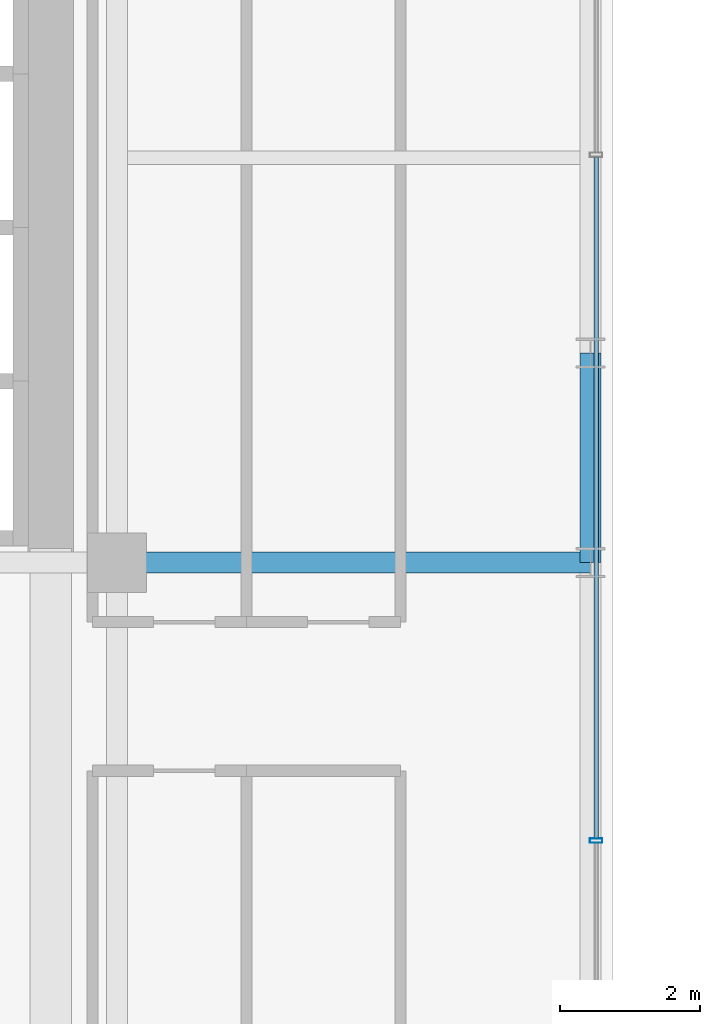
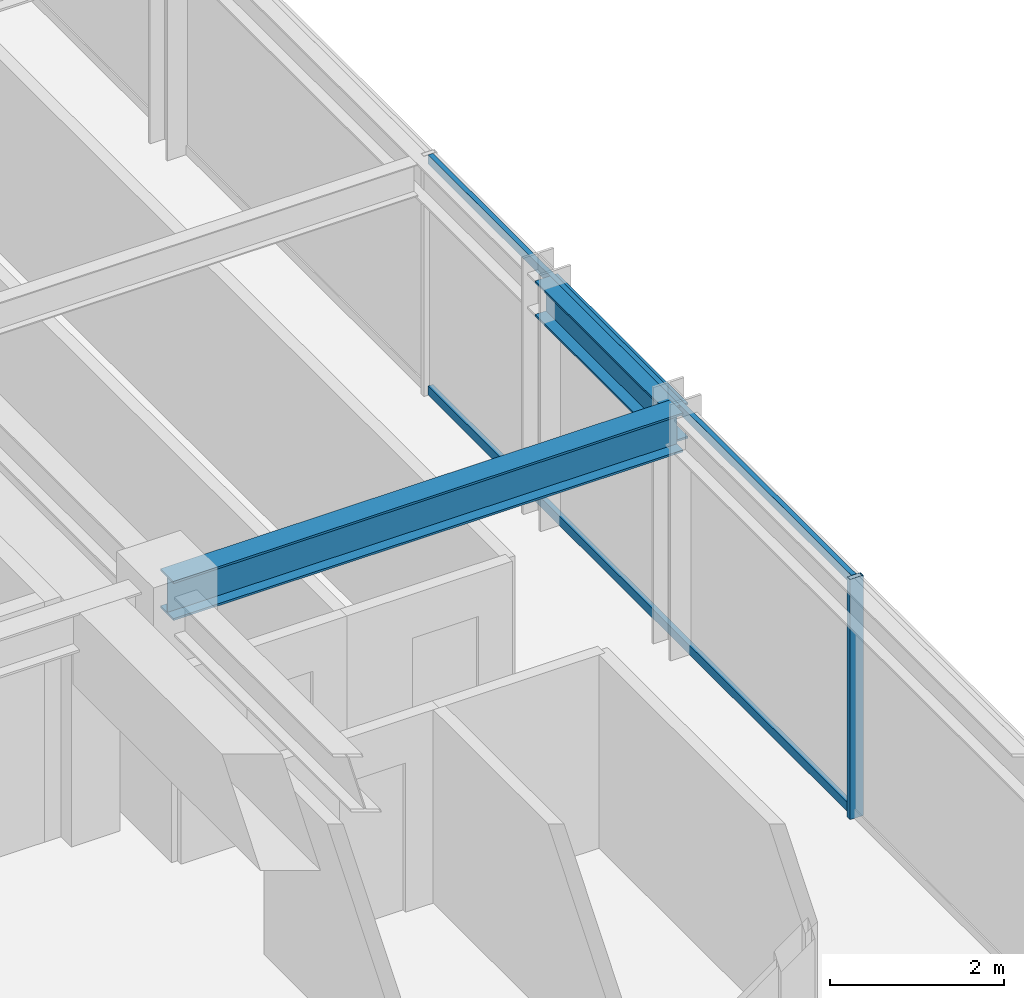
# One storey, part 15 of 41: 3 members, 2 beams, 1 element without a shape of its own.
"""IFC4 building model written with IfcOpenShell, lengths in metres."""

from ifc_helpers import new_model, si_unit, direction, frame, origin, origin_2d, place, context, subcontext, project, spatial, hollow_rectangle, i_section, extrude, source, transform, mapped, material, material_profile, profile_set, type_object, element, aggregate, save


model = new_model("IFC4")

# Units and contexts
model_context = context("Model", 3, precision=1e-05, world=origin(), true_north=direction((0.0, 1.0)))
body_context = subcontext(model_context, "Body", "Model", "MODEL_VIEW")
ifc_project = project(units=[si_unit("LENGTHUNIT", "METRE"), si_unit("AREAUNIT", "SQUARE_METRE"), si_unit("VOLUMEUNIT", "CUBIC_METRE"), si_unit("PLANEANGLEUNIT", "RADIAN"), si_unit("MASSUNIT", "GRAM", prefix="KILO")], contexts=[model_context])

# Site, building, storey
site_placement = place(None, origin())
site = spatial("IfcSite", under=ifc_project, at=site_placement, CompositionType="ELEMENT")
building_placement = place(site_placement, origin())
building = spatial("IfcBuilding", under=site, at=building_placement, Name="Nahalor Promenade Grand Hotel", CompositionType="ELEMENT")
storey_placement = place(building_placement, frame((0.0, 0.0, 113.85009765625)))
storey = spatial("IfcBuildingStorey", under=building, at=storey_placement, Name="L28", CompositionType="ELEMENT", Elevation=113.85009765625)

# Beams
ifc_material_1 = material(Name="Steel S355JR", Category="steel")
ifc_material_profile_1 = material_profile(ifc_material_1, i_section(OverallWidth=0.3, OverallDepth=0.5, WebThickness=0.0145, FlangeThickness=0.028, at=origin_2d()), Name="HEB 500")
ifc_profile_set_1 = profile_set([ifc_material_profile_1], Name="Steel S355JR")
beam_type_1 = type_object("IfcBeamType", Name="Beam-Spandrel-HEB500", PredefinedType="SPANDREL", material=ifc_profile_set_1)
shared_shape_1 = source(origin(), body_context, "Body", "SweptSolid", [
    extrude(i_section(OverallWidth=0.3, OverallDepth=0.5, WebThickness=0.0145, FlangeThickness=0.028, at=origin_2d()), origin(), (0.0, 0.0, 1.0), 3.0),
])
beam_1_placement = place(storey_placement, frame((23.780029296875, 5.39990234375, 3.1298828125), z_axis=(0.0, 1.0, 0.0), x_axis=(-1.0, 0.0, 0.0)))
element("IfcBeam", 1, at=beam_1_placement, inside=storey, type_object=beam_type_1, Name="BM-L28-SP-E-3", PredefinedType="SPANDREL", context=body_context, shape_type="MappedRepresentation", body=[
    mapped(shared_shape_1, transform((0.0, 0.0, 0.0), scale=1.0)),
])
ifc_material_profile_2 = material_profile(ifc_material_1, i_section(OverallWidth=0.3, OverallDepth=0.55, WebThickness=0.015, FlangeThickness=0.029, at=origin_2d()), Name="HEB 550")
ifc_profile_set_2 = profile_set([ifc_material_profile_2], Name="Steel S355JR")
beam_type_2 = type_object("IfcBeamType", Name="Beam-Girder-HEB550", PredefinedType="BEAM", material=ifc_profile_set_2)
shared_shape_2 = source(origin(), body_context, "Body", "SweptSolid", [
    extrude(i_section(OverallWidth=0.3, OverallDepth=0.55, WebThickness=0.015, FlangeThickness=0.029, at=origin_2d()), origin(), (0.0, 0.0, 1.0), 6.780029296875),
])
beam_2_placement = place(storey_placement, frame((17.0, 5.39990234375, 3.10498046875), z_axis=(1.0, 0.0, 0.0), x_axis=(0.0, 1.0, 0.0)))
element("IfcBeam", 2, at=beam_2_placement, inside=storey, type_object=beam_type_2, Name="BM-L28-GX-2-6", PredefinedType="BEAM", context=body_context, shape_type="MappedRepresentation", body=[
    mapped(shared_shape_2, transform((0.0, 0.0, 0.0), scale=1.0)),
])

# Curtain wall, members
ifc_material_2 = material(Name="Anodised Bronze Aluminium EN AW-6063 T6", Category="aluminium")
curtain_wall_type = type_object("IfcCurtainWallType", Name="CW2 Typical Hotel Flush Bronze Unitised Curtain Wall", PredefinedType="USERDEFINED", material=ifc_material_2)
curtain_wall_placement = place(storey_placement, origin())
curtain_wall = element("IfcCurtainWall", 3, at=curtain_wall_placement, inside=storey, type_object=curtain_wall_type, Name="L28 Curtain Wall CW-L28-E-3", ObjectType="UNITISED_CURTAIN_WALL", PredefinedType="USERDEFINED")
ifc_material_profile_3 = material_profile(ifc_material_2, hollow_rectangle(XDim=0.065, YDim=0.18, WallThickness=0.004, at=origin_2d()), Name="CWM 65x180x4")
ifc_profile_set_3 = profile_set([ifc_material_profile_3], Name="Anodised Bronze Aluminium EN AW-6063 T6")
member_type_1 = type_object("IfcMemberType", Name="CWM2 Typical Bronze Mullion 65x180", PredefinedType="MULLION", material=ifc_profile_set_3)
shared_shape_3 = source(origin(), body_context, "Body", "SweptSolid", [
    extrude(hollow_rectangle(XDim=0.065, YDim=0.18, WallThickness=0.004, at=origin_2d()), origin(), (0.0, 0.0, 1.0), 3.3798828125),
])
member_1_placement = place(storey_placement, frame((23.860107421875, 1.419921875, 0.0), z_axis=(0.0, 0.0, 1.0), x_axis=(0.0, 1.0, 0.0)))
member_1 = element("IfcMember", 4, at=member_1_placement, type_object=member_type_1, Name="CW-L28-E-3 Mullion 1", PredefinedType="MULLION", context=body_context, shape_type="MappedRepresentation", body=[
    mapped(shared_shape_3, transform((0.0, 0.0, 0.0), scale=1.0)),
])
ifc_material_profile_4 = material_profile(ifc_material_2, hollow_rectangle(XDim=0.065, YDim=0.13, WallThickness=0.004, at=origin_2d()), Name="CWT 65x130x4")
ifc_profile_set_4 = profile_set([ifc_material_profile_4], Name="Anodised Bronze Aluminium EN AW-6063 T6")
member_type_2 = type_object("IfcMemberType", Name="CWT2 Typical Bronze Transom 65x130", PredefinedType="USERDEFINED", material=ifc_profile_set_4)
shared_shape_4 = source(origin(), body_context, "Body", "SweptSolid", [
    extrude(hollow_rectangle(XDim=0.065, YDim=0.13, WallThickness=0.004, at=origin_2d()), origin(), (0.0, 0.0, 1.0), 9.755126953125),
])
member_2_placement = place(storey_placement, frame((23.860107421875, 1.452392578125, 0.06494140625), z_axis=(0.0, 1.0, 0.0), x_axis=(-1.0, 0.0, 0.0)))
member_2 = element("IfcMember", 5, at=member_2_placement, type_object=member_type_2, Name="CW-L28-E-3 Transom 1-0", ObjectType="TRANSOM", PredefinedType="USERDEFINED", context=body_context, shape_type="MappedRepresentation", body=[
    mapped(shared_shape_4, transform((0.0, 0.0, 0.0), scale=1.0)),
])
member_3_placement = place(storey_placement, frame((23.860107421875, 1.452392578125, 3.31494140625), z_axis=(0.0, 1.0, 0.0), x_axis=(-1.0, 0.0, 0.0)))
member_3 = element("IfcMember", 6, at=member_3_placement, type_object=member_type_2, Name="CW-L28-E-3 Transom 1-1", ObjectType="TRANSOM", PredefinedType="USERDEFINED", context=body_context, shape_type="MappedRepresentation", body=[
    mapped(shared_shape_4, transform((0.0, 0.0, 0.0), scale=1.0)),
])
aggregate(curtain_wall, [member_1, member_2, member_3])

save(model, "model.ifc")
